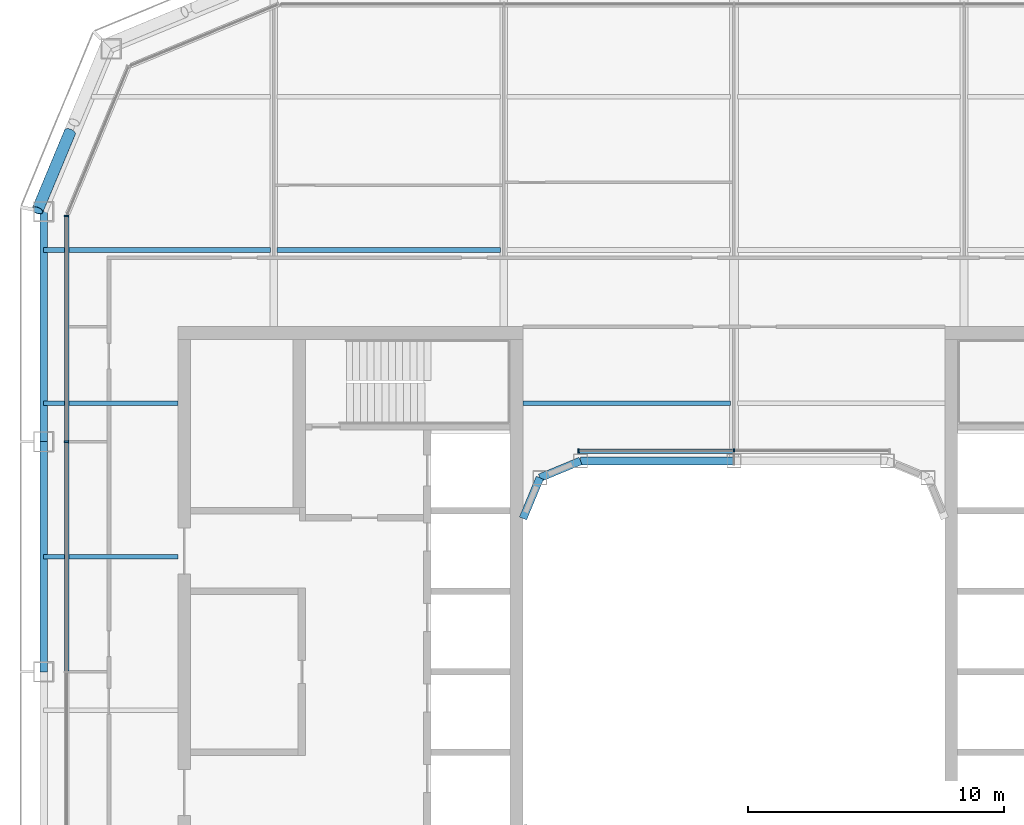
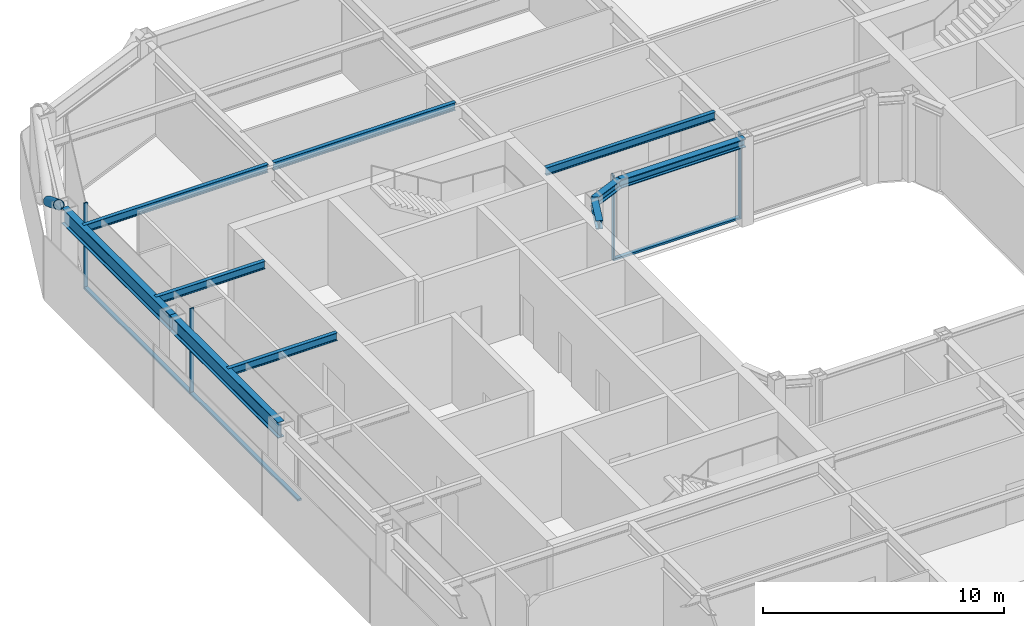
# One storey, part 6 of 23: 10 beams, 8 members, 2 elements without a shape of their own.
"""IFC4 building model written with IfcOpenShell, lengths in metres."""

from ifc_helpers import new_model, si_unit, direction, frame, origin, origin_2d, place, context, subcontext, project, spatial, rectangle, hollow_circle, i_section, extrude, material, layer, layer_set, material_profile, profile_set, type_object, element, aggregate, save


model = new_model("IFC4")

# Units and contexts
model_context = context("Model", 3, precision=1e-05, world=origin(), true_north=direction((0.0, 1.0)))
body_context = subcontext(model_context, "Body", "Model", "MODEL_VIEW")
ifc_project = project(units=[si_unit("LENGTHUNIT", "METRE"), si_unit("AREAUNIT", "SQUARE_METRE"), si_unit("VOLUMEUNIT", "CUBIC_METRE"), si_unit("PLANEANGLEUNIT", "RADIAN"), si_unit("MASSUNIT", "GRAM", prefix="KILO")], contexts=[model_context])

# Site, building, storey
site_placement = place(None, origin())
site = spatial("IfcSite", under=ifc_project, at=site_placement, CompositionType="ELEMENT")
building_placement = place(site_placement, origin())
building = spatial("IfcBuilding", under=site, at=building_placement, Name="Siwar Civic Tower", CompositionType="ELEMENT")
storey_placement = place(building_placement, frame((0.0, 0.0, 260.199951171875)))
storey = spatial("IfcBuildingStorey", under=building, at=storey_placement, Name="L56", CompositionType="ELEMENT", Elevation=260.199951171875)

# Curtain wall, members
ifc_material_1 = material(Name="Aluminium and glass", Category="aluminium")
ifc_layer_1 = layer(ifc_material_1, 0.179931640625)
ifc_layer_set_1 = layer_set([ifc_layer_1], Name="Aluminium and glass")
curtain_wall_type_1 = type_object("IfcCurtainWallType", Name="ENV-CW-C", PredefinedType="NOTDEFINED", material=ifc_layer_set_1)
curtain_wall_1_placement = place(storey_placement, origin())
curtain_wall_1 = element("IfcCurtainWall", 1, at=curtain_wall_1_placement, inside=storey, type_object=curtain_wall_type_1, Name="Curtain wall C W", PredefinedType="NOTDEFINED")
ifc_material_2 = material(Name="Aluminium 6063-T6", Category="aluminium")
ifc_material_profile_1 = material_profile(ifc_material_2, rectangle(XDim=0.179931640625, YDim=0.06005859375, at=origin_2d()), Name="AL 180x60")
ifc_profile_set_1 = profile_set([ifc_material_profile_1], Name="Aluminium 6063-T6")
member_type_1 = type_object("IfcMemberType", Name="ENV-MULLION-C", PredefinedType="MULLION", material=ifc_profile_set_1)
member_1_placement = place(storey_placement, frame((-26.10009765625, 17.821044921875, 0.0), z_axis=(0.0, 0.0, 1.0), x_axis=(1.0, 0.0, 0.0)))
member_1 = element("IfcMember", 2, at=member_1_placement, type_object=member_type_1, Name="Mullion C W 1", PredefinedType="MULLION", context=body_context, shape_type="SweptSolid", body=[
    extrude(rectangle(XDim=0.179931640625, YDim=0.06005859375, at=origin_2d()), origin(), (0.0, 0.0, 1.0), 4.35009765625),
])
member_2_placement = place(storey_placement, frame((-26.10009765625, 9.0, 0.0), z_axis=(0.0, 0.0, 1.0), x_axis=(1.0, 0.0, 0.0)))
member_2 = element("IfcMember", 3, at=member_2_placement, type_object=member_type_1, Name="Mullion C W 2", PredefinedType="MULLION", context=body_context, shape_type="SweptSolid", body=[
    extrude(rectangle(XDim=0.179931640625, YDim=0.06005859375, at=origin_2d()), origin(), (0.0, 0.0, 1.0), 4.35009765625),
])

ifc_material_3 = material(Name="Aluminium and glass", Category="aluminium")
ifc_layer_2 = layer(ifc_material_3, 0.179931640625)
ifc_layer_set_2 = layer_set([ifc_layer_2], Name="Aluminium and glass")
curtain_wall_type_2 = type_object("IfcCurtainWallType", Name="ENV-CW-W", PredefinedType="NOTDEFINED", material=ifc_layer_set_2)
curtain_wall_2_placement = place(storey_placement, origin())
curtain_wall_2 = element("IfcCurtainWall", 4, at=curtain_wall_2_placement, inside=storey, type_object=curtain_wall_type_2, Name="Curtain wall W WN", PredefinedType="NOTDEFINED")
ifc_material_4 = material(Name="Aluminium 6063-T6", Category="aluminium")
ifc_material_profile_2 = material_profile(ifc_material_4, rectangle(XDim=0.179931640625, YDim=0.06005859375, at=origin_2d()), Name="AL 180x60")
ifc_profile_set_2 = profile_set([ifc_material_profile_2], Name="Aluminium 6063-T6")
member_type_2 = type_object("IfcMemberType", Name="ENV-MULLION-W", PredefinedType="MULLION", material=ifc_profile_set_2)
member_3_placement = place(storey_placement, frame((0.0, 8.635009765625, 0.0), z_axis=(0.0, 0.0, 1.0), x_axis=(0.0, -1.0, 0.0)))
member_3 = element("IfcMember", 5, at=member_3_placement, type_object=member_type_2, Name="Mullion W WN 2", PredefinedType="MULLION", context=body_context, shape_type="SweptSolid", body=[
    extrude(rectangle(XDim=0.179931640625, YDim=0.06005859375, at=origin_2d()), origin(), (0.0, 0.0, 1.0), 4.35009765625),
])
member_4_placement = place(storey_placement, frame((-6.07666015625, 8.635009765625, 0.0), z_axis=(0.0, 0.0, 1.0), x_axis=(0.0, -1.0, 0.0)))
member_4 = element("IfcMember", 6, at=member_4_placement, type_object=member_type_2, Name="Mullion W WN 3", PredefinedType="MULLION", context=body_context, shape_type="SweptSolid", body=[
    extrude(rectangle(XDim=0.179931640625, YDim=0.06005859375, at=origin_2d()), origin(), (0.0, 0.0, 1.0), 4.35009765625),
])

# Member
ifc_material_5 = material(Name="Aluminium 6063-T6", Category="aluminium")
ifc_material_profile_3 = material_profile(ifc_material_5, rectangle(XDim=0.179931640625, YDim=0.10009765625, at=origin_2d()), Name="AL 180x100")
ifc_profile_set_3 = profile_set([ifc_material_profile_3], Name="Aluminium 6063-T6")
member_type_3 = type_object("IfcMemberType", Name="ENV-TRANSOM-C", PredefinedType="USERDEFINED", material=ifc_profile_set_3)
member_5_placement = place(storey_placement, frame((-26.10009765625, 17.791015625, 0.050048828125), z_axis=(0.0, -1.0, 0.0), x_axis=(1.0, 0.0, 0.0)))
member_5 = element("IfcMember", 7, at=member_5_placement, type_object=member_type_3, Name="Transom C W 1", ObjectType="TRANSOM", PredefinedType="USERDEFINED", context=body_context, shape_type="SweptSolid", body=[
    extrude(rectangle(XDim=0.179931640625, YDim=0.10009765625, at=origin_2d()), origin(), (0.0, 0.0, 1.0), 8.760986328125),
])

member_6_placement = place(storey_placement, frame((-26.10009765625, 8.969970703125, 0.050048828125), z_axis=(0.0, -1.0, 0.0), x_axis=(1.0, 0.0, 0.0)))
member_6 = element("IfcMember", 8, at=member_6_placement, type_object=member_type_3, Name="Transom C W 2", ObjectType="TRANSOM", PredefinedType="USERDEFINED", context=body_context, shape_type="SweptSolid", body=[
    extrude(rectangle(XDim=0.179931640625, YDim=0.10009765625, at=origin_2d()), origin(), (0.0, 0.0, 1.0), 8.93994140625),
])

aggregate(curtain_wall_1, [member_1, member_2, member_5, member_6])

ifc_material_6 = material(Name="Aluminium 6063-T6", Category="aluminium")
ifc_material_profile_4 = material_profile(ifc_material_6, rectangle(XDim=0.179931640625, YDim=0.10009765625, at=origin_2d()), Name="AL 180x100")
ifc_profile_set_4 = profile_set([ifc_material_profile_4], Name="Aluminium 6063-T6")
member_type_4 = type_object("IfcMemberType", Name="ENV-TRANSOM-W", PredefinedType="USERDEFINED", material=ifc_profile_set_4)
member_7_placement = place(storey_placement, frame((-0.030029296875, 8.635009765625, 0.050048828125), z_axis=(-1.0, 0.0, 0.0), x_axis=(0.0, -1.0, 0.0)))
member_7 = element("IfcMember", 9, at=member_7_placement, type_object=member_type_4, Name="Transom W WN 2", ObjectType="TRANSOM", PredefinedType="USERDEFINED", context=body_context, shape_type="SweptSolid", body=[
    extrude(rectangle(XDim=0.179931640625, YDim=0.10009765625, at=origin_2d()), origin(), (0.0, 0.0, 1.0), 6.0166015625),
])

aggregate(curtain_wall_2, [member_3, member_4, member_7])

ifc_material_7 = material(Name="Steel S355", Category="steel")
ifc_material_profile_5 = material_profile(ifc_material_7, hollow_circle(Radius=0.228515625, WallThickness=0.02001953125, at=origin_2d()), Name="CHS457x20")
ifc_profile_set_5 = profile_set([ifc_material_profile_5], Name="Steel S355")
member_type_5 = type_object("IfcMemberType", Name="STR-BR-CHS457x20", PredefinedType="BRACE", material=ifc_profile_set_5)
member_8_placement = place(storey_placement, frame((-25.972900390625, 21.10302734375, 2.383056640625), z_axis=(-0.323895306243, -0.777572496853, 0.538955325357), x_axis=(0.92311621485, -0.38452107079, 0.0)))
element("IfcMember", 10, at=member_8_placement, inside=storey, type_object=member_type_5, Name="L56/brc/CNW1-16-0-3", PredefinedType="BRACE", context=body_context, shape_type="SweptSolid", body=[
    extrude(hollow_circle(Radius=0.228515625, WallThickness=0.02001953125, at=origin_2d()), origin(), (0.0, 0.0, 1.0), 3.927978515625),
])

# Beams
ifc_material_8 = material(Name="Steel S355", Category="steel")
ifc_material_profile_6 = material_profile(ifc_material_8, i_section(OverallWidth=0.179931640625, OverallDepth=0.39990234375, WebThickness=0.008544921875, FlangeThickness=0.013427734375, FilletRadius=0.02099609375, at=origin_2d()), Name="IPE400")
ifc_profile_set_6 = profile_set([ifc_material_profile_6], Name="Steel S355")
beam_type_1 = type_object("IfcBeamType", Name="STR-FB-IPE400", PredefinedType="JOIST", material=ifc_profile_set_6)
for number, where, z_axis, x_axis, name in (
    (11, (-27.0, 4.5, 4.150146484375), (1.0, 0.0, 0.0), (0.0, 1.0, 0.0), "L56/bm/F025"),
    (12, (-27.0, 10.5, 4.150146484375), (1.0, 0.0, 0.0), (0.0, 1.0, 0.0), "L56/bm/F027"),
):
    element("IfcBeam", number, at=place(storey_placement, frame(where, z_axis=z_axis, x_axis=x_axis)), inside=storey, type_object=beam_type_1, Name=name, PredefinedType="JOIST", context=body_context, shape_type="SweptSolid", body=[
        extrude(i_section(OverallWidth=0.179931640625, OverallDepth=0.39990234375, WebThickness=0.008544921875, FlangeThickness=0.013427734375, FilletRadius=0.02099609375, at=origin_2d()), origin(), (0.0, 0.0, 1.0), 5.25),
    ])
beam_1_placement = place(storey_placement, frame((-8.25, 10.5, 4.150146484375), z_axis=(1.0, 0.0, 0.0), x_axis=(0.0, 1.0, 0.0)))
element("IfcBeam", 13, at=beam_1_placement, inside=storey, type_object=beam_type_1, Name="L56/bm/F028", PredefinedType="JOIST", context=body_context, shape_type="SweptSolid", body=[
    extrude(i_section(OverallWidth=0.179931640625, OverallDepth=0.39990234375, WebThickness=0.008544921875, FlangeThickness=0.013427734375, FilletRadius=0.02099609375, at=origin_2d()), origin(), (0.0, 0.0, 1.0), 8.1201171875),
])
beam_2_placement = place(storey_placement, frame((-27.0, 16.5, 4.150146484375), z_axis=(1.0, 0.0, 0.0), x_axis=(0.0, 1.0, 0.0)))
element("IfcBeam", 14, at=beam_2_placement, inside=storey, type_object=beam_type_1, Name="L56/bm/F031", PredefinedType="JOIST", context=body_context, shape_type="SweptSolid", body=[
    extrude(i_section(OverallWidth=0.179931640625, OverallDepth=0.39990234375, WebThickness=0.008544921875, FlangeThickness=0.013427734375, FilletRadius=0.02099609375, at=origin_2d()), origin(), (0.0, 0.0, 1.0), 8.8701171875),
])
beam_3_placement = place(storey_placement, frame((-17.8701171875, 16.5, 4.150146484375), z_axis=(1.0, 0.0, 0.0), x_axis=(0.0, 1.0, 0.0)))
element("IfcBeam", 15, at=beam_3_placement, inside=storey, type_object=beam_type_1, Name="L56/bm/F032", PredefinedType="JOIST", context=body_context, shape_type="SweptSolid", body=[
    extrude(i_section(OverallWidth=0.179931640625, OverallDepth=0.39990234375, WebThickness=0.008544921875, FlangeThickness=0.013427734375, FilletRadius=0.02099609375, at=origin_2d()), origin(), (0.0, 0.0, 1.0), 8.740234375),
])
ifc_material_9 = material(Name="Steel S355", Category="steel")
ifc_material_profile_7 = material_profile(ifc_material_9, i_section(OverallWidth=0.306884765625, OverallDepth=0.431884765625, WebThickness=0.02099609375, FlangeThickness=0.0400390625, FilletRadius=0.027099609375, at=origin_2d()), Name="HEM400")
ifc_profile_set_7 = profile_set([ifc_material_profile_7], Name="Steel S355")
beam_type_2 = type_object("IfcBeamType", Name="STR-RB-HEM400", PredefinedType="BEAM", material=ifc_profile_set_7)
beam_4_placement = place(storey_placement, frame((-7.591064453125, 7.591064453125, 4.134033203125), z_axis=(0.923901072997, 0.382631424892, 0.0), x_axis=(-0.382631424892, 0.923901072997, 0.0)))
element("IfcBeam", 16, at=beam_4_placement, inside=storey, type_object=beam_type_2, Name="L56/bm/RN0", PredefinedType="BEAM", context=body_context, shape_type="SweptSolid", body=[
    extrude(i_section(OverallWidth=0.306884765625, OverallDepth=0.431884765625, WebThickness=0.02099609375, FlangeThickness=0.0400390625, FilletRadius=0.027099609375, at=origin_2d()), origin(), (0.0, 0.0, 1.0), 1.72216796875),
])
beam_5_placement = place(storey_placement, frame((-6.0, 8.25, 4.134033203125), z_axis=(1.0, 0.0, 0.0), x_axis=(0.0, 1.0, 0.0)))
element("IfcBeam", 17, at=beam_5_placement, inside=storey, type_object=beam_type_2, Name="L56/bm/RN1", PredefinedType="BEAM", context=body_context, shape_type="SweptSolid", body=[
    extrude(i_section(OverallWidth=0.306884765625, OverallDepth=0.431884765625, WebThickness=0.02099609375, FlangeThickness=0.0400390625, FilletRadius=0.027099609375, at=origin_2d()), origin(), (0.0, 0.0, 1.0), 6.0),
])
beam_6_placement = place(storey_placement, frame((-7.591064453125, 7.591064453125, 4.134033203125), z_axis=(-0.382631424892, -0.923901072997, 0.0), x_axis=(0.923901072997, -0.382631424892, 0.0)))
element("IfcBeam", 18, at=beam_6_placement, inside=storey, type_object=beam_type_2, Name="L56/bm/RNEW", PredefinedType="BEAM", context=body_context, shape_type="SweptSolid", body=[
    extrude(i_section(OverallWidth=0.306884765625, OverallDepth=0.431884765625, WebThickness=0.02099609375, FlangeThickness=0.0400390625, FilletRadius=0.027099609375, at=origin_2d()), origin(), (0.0, 0.0, 1.0), 1.72216796875),
])
ifc_material_10 = material(Name="Steel S355", Category="steel")
ifc_material_profile_8 = material_profile(ifc_material_10, i_section(OverallWidth=0.300048828125, OverallDepth=0.800048828125, WebThickness=0.017578125, FlangeThickness=0.032958984375, FilletRadius=0.030029296875, at=origin_2d()), Name="HEB800")
ifc_profile_set_8 = profile_set([ifc_material_profile_8], Name="Steel S355")
beam_type_3 = type_object("IfcBeamType", Name="STR-SB-HEB800", PredefinedType="BEAM", material=ifc_profile_set_8)
for number, where, z_axis, x_axis, name in (
    (19, (-27.0, 18.0, 3.949951171875), (0.0, -1.0, 0.0), (1.0, 0.0, 0.0), "L56/bm/SW-0"),
    (20, (-27.0, 9.0, 3.949951171875), (0.0, -1.0, 0.0), (1.0, 0.0, 0.0), "L56/bm/SW-1"),
):
    element("IfcBeam", number, at=place(storey_placement, frame(where, z_axis=z_axis, x_axis=x_axis)), inside=storey, type_object=beam_type_3, Name=name, PredefinedType="BEAM", context=body_context, shape_type="SweptSolid", body=[
        extrude(i_section(OverallWidth=0.300048828125, OverallDepth=0.800048828125, WebThickness=0.017578125, FlangeThickness=0.032958984375, FilletRadius=0.030029296875, at=origin_2d()), origin(), (0.0, 0.0, 1.0), 9.0),
    ])

save(model, "model.ifc")
